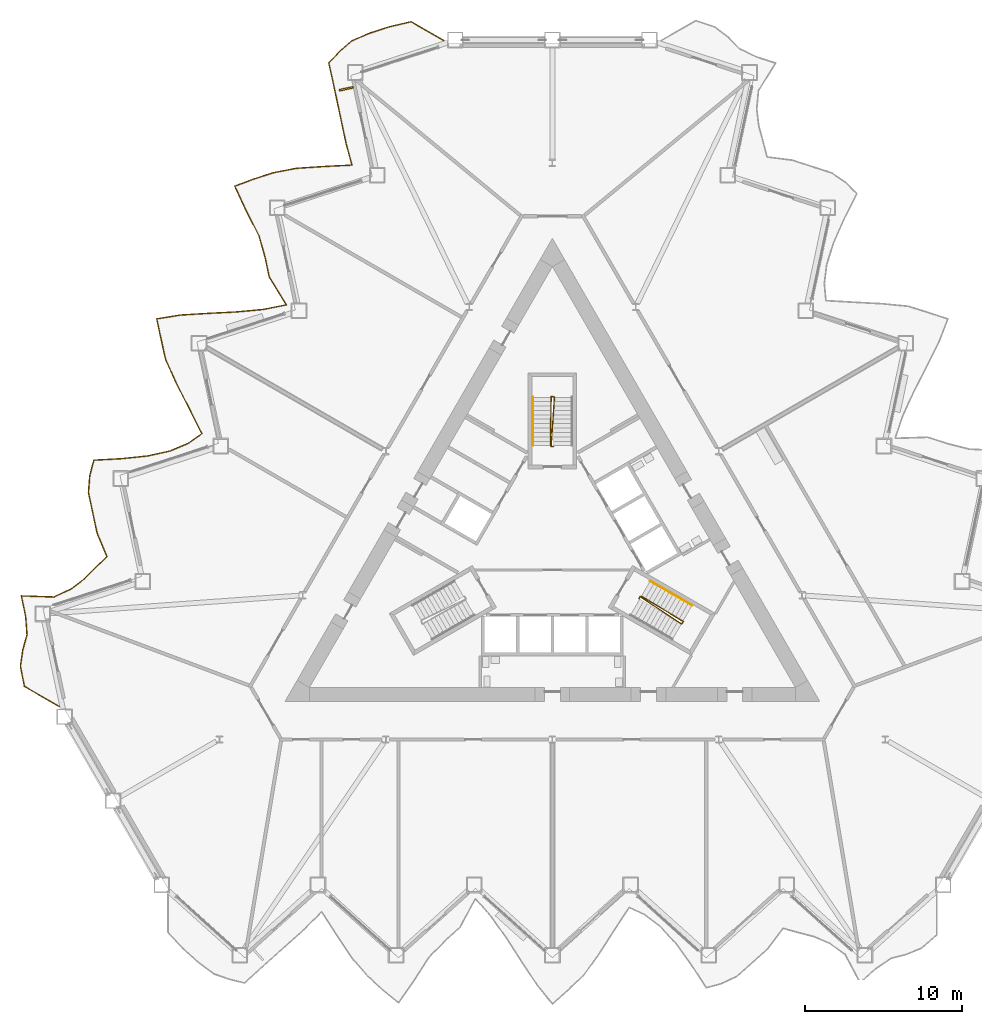
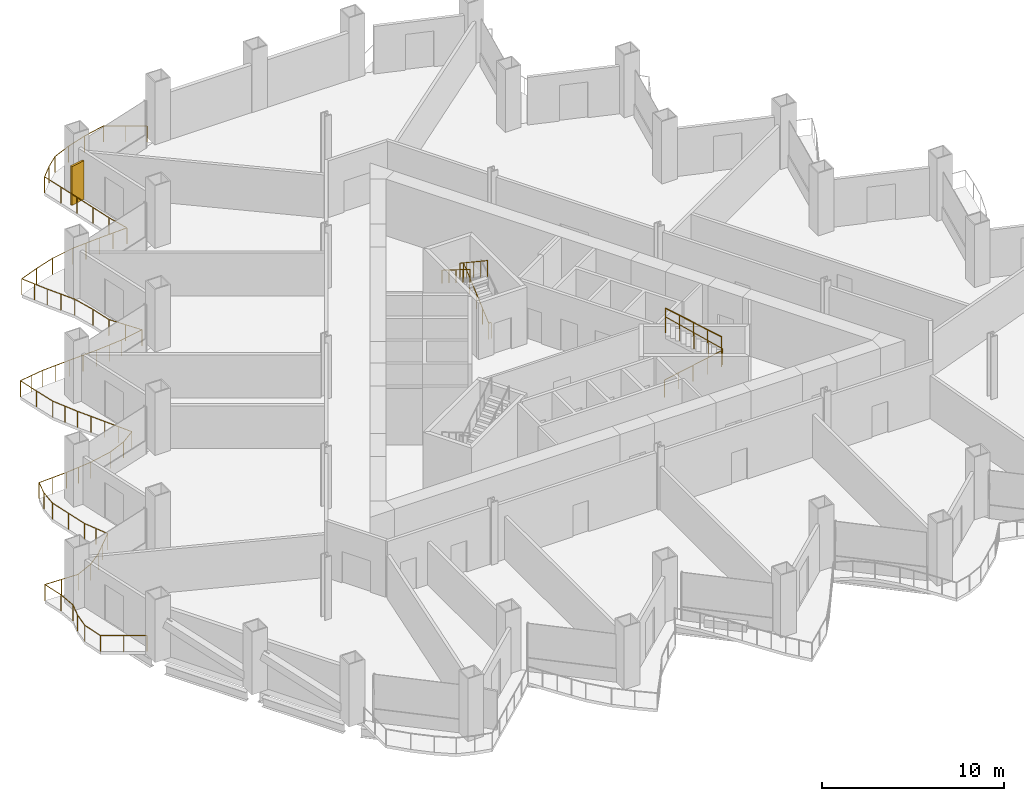
# One storey, part 17 of 20: 5 railings, 1 shading device.
"""IFC4 building model written with IfcOpenShell, lengths in metres."""

from ifc_helpers import new_model, si_unit, direction, frame, origin, origin_2d, place, context, subcontext, project, spatial, rectangle, circle, extrude, material, layer, layer_set, type_object, element, save


model = new_model("IFC4")

# Units and contexts
model_context = context("Model", 3, precision=1e-05, world=origin(), true_north=direction((0.0, 1.0)))
body_context = subcontext(model_context, "Body", "Model", "MODEL_VIEW")
ifc_project = project(units=[si_unit("LENGTHUNIT", "METRE"), si_unit("AREAUNIT", "SQUARE_METRE"), si_unit("VOLUMEUNIT", "CUBIC_METRE"), si_unit("PLANEANGLEUNIT", "RADIAN"), si_unit("MASSUNIT", "GRAM", prefix="KILO")], contexts=[model_context])

# Site, building, storey
site_placement = place(None, origin())
site = spatial("IfcSite", under=ifc_project, at=site_placement, CompositionType="ELEMENT")
building_placement = place(site_placement, origin())
building = spatial("IfcBuilding", under=site, at=building_placement, Name="Cormorant Prow Tower", CompositionType="ELEMENT")
storey_placement = place(building_placement, frame((0.0, 0.0, 55.199951171875)))
storey = spatial("IfcBuildingStorey", under=building, at=storey_placement, Name="L11", CompositionType="ELEMENT", Elevation=55.199951171875)

# Railings
ifc_material_1 = material(Name="Aluminium 6063-T6", Category="aluminium")
railing_type_1 = type_object("IfcRailingType", Name="Balcony guard 1100", PredefinedType="GUARDRAIL", material=ifc_material_1)
railing_1_placement = place(storey_placement, frame((-6.89013671875, 32.197509765625, 0.0)))
element("IfcRailing", 1, at=railing_1_placement, inside=storey, type_object=railing_type_1, Name="Balcony guard WNW", PredefinedType="GUARDRAIL", context=body_context, shape_type="SweptSolid", body=[
    extrude(circle(Radius=0.02392578125, at=origin_2d()), frame((0.0, 0.0, 1.076171875), z_axis=(-0.86600970956, 0.500027182209, 0.0), x_axis=(-0.500027182209, -0.86600970956, 0.0)), (0.0, 0.0, 1.0), 2.404052734375),
    extrude(circle(Radius=0.02392578125, at=origin_2d()), frame((-2.08203125, 1.2021484375, 1.076171875), z_axis=(-0.974143458387, -0.225930348742, 0.0), x_axis=(0.225930348742, -0.974143458387, 0.0)), (0.0, 0.0, 1.0), 1.431884765625),
    extrude(circle(Radius=0.02392578125, at=origin_2d()), frame((-3.476806640625, 0.878662109375, 1.076171875), z_axis=(-0.951050435231, -0.30903570934, 0.0), x_axis=(0.30903570934, -0.951050435231, 0.0)), (0.0, 0.0, 1.0), 1.3154296875),
    extrude(circle(Radius=0.02392578125, at=origin_2d()), frame((-4.727783203125, 0.47216796875, 1.076171875), z_axis=(-0.919423874119, -0.39326802527, 0.0), x_axis=(0.39326802527, -0.919423874119, 0.0)), (0.0, 0.0, 1.0), 1.2216796875),
    extrude(circle(Radius=0.02392578125, at=origin_2d()), frame((-5.85107421875, -0.00830078125, 1.076171875), z_axis=(-0.753994763971, -0.656880427402, 0.0), x_axis=(0.656880427402, -0.753994763971, 0.0)), (0.0, 0.0, 1.0), 1.033203125),
    extrude(circle(Radius=0.02392578125, at=origin_2d()), frame((-6.630126953125, -0.68701171875, 1.076171875), z_axis=(-0.69327825014, -0.72067001317, 0.0), x_axis=(0.72067001317, -0.69327825014, 0.0)), (0.0, 0.0, 1.0), 1.007080078125),
    extrude(circle(Radius=0.02392578125, at=origin_2d()), frame((-7.328369140625, -1.412841796875, 1.076171875), z_axis=(0.218370454667, -0.975865945983, 0.0), x_axis=(0.975865945983, 0.218370454667, 0.0)), (0.0, 0.0, 1.0), 1.328125),
    extrude(circle(Radius=0.02392578125, at=origin_2d()), frame((-7.038330078125, -2.708984375, 1.076171875), z_axis=(0.207880954361, -0.978154133465, 0.0), x_axis=(0.978154133465, 0.207880954361, 0.0)), (0.0, 0.0, 1.0), 1.3154296875),
    extrude(circle(Radius=0.02392578125, at=origin_2d()), frame((-6.764892578125, -3.99560546875, 1.076171875), z_axis=(0.207843219599, -0.978162152236, 0.0), x_axis=(0.978162152236, 0.207843219599, 0.0)), (0.0, 0.0, 1.0), 1.315673828125),
    extrude(circle(Radius=0.02392578125, at=origin_2d()), frame((-6.491455078125, -5.282470703125, 1.076171875), z_axis=(0.20805853112, -0.978116377344, 0.0), x_axis=(0.978116377344, 0.20805853112, 0.0)), (0.0, 0.0, 1.0), 1.3154296875),
    extrude(circle(Radius=0.02392578125, at=origin_2d()), frame((-6.2177734375, -6.569091796875, 1.076171875), z_axis=(0.263726899896, -0.964597388692, 0.0), x_axis=(0.964597388692, 0.263726899896, 0.0)), (0.0, 0.0, 1.0), 1.389404296875),
    extrude(circle(Radius=0.02392578125, at=origin_2d()), frame((-5.851318359375, -7.909423828125, 1.076171875), z_axis=(-0.998806724345, -0.04883776615, 0.0), x_axis=(0.04883776615, -0.998806724345, 0.0)), (0.0, 0.0, 1.0), 1.8046875),
    extrude(circle(Radius=0.02392578125, at=origin_2d()), frame((-7.65380859375, -7.99755859375, 1.076171875), z_axis=(-0.997730027653, -0.067340863671, 0.0), x_axis=(0.067340863671, -0.997730027653, 0.0)), (0.0, 0.0, 1.0), 1.754638671875),
    extrude(circle(Radius=0.02392578125, at=origin_2d()), frame((-9.404541015625, -8.11572265625, 1.076171875), z_axis=(-0.98160088559, -0.190944236385, 0.0), x_axis=(0.190944236385, -0.98160088559, 0.0)), (0.0, 0.0, 1.0), 1.489501953125),
    extrude(circle(Radius=0.02392578125, at=origin_2d()), frame((-10.86669921875, -8.400146484375, 1.076171875), z_axis=(-0.951050435231, -0.30903570934, 0.0), x_axis=(0.30903570934, -0.951050435231, 0.0)), (0.0, 0.0, 1.0), 1.3154296875),
    extrude(circle(Radius=0.02392578125, at=origin_2d()), frame((-12.11767578125, -8.806640625, 1.076171875), z_axis=(-0.935884159176, -0.352307877578, 0.0), x_axis=(0.352307877578, -0.935884159176, 0.0)), (0.0, 0.0, 1.0), 1.2646484375),
    extrude(circle(Radius=0.02392578125, at=origin_2d()), frame((-13.30126953125, -9.252197265625, 1.076171875), z_axis=(0.422336204889, -0.906439258881, 0.0), x_axis=(0.906439258881, 0.422336204889, 0.0)), (0.0, 0.0, 1.0), 1.70361328125),
    extrude(circle(Radius=0.02392578125, at=origin_2d()), frame((-12.581787109375, -10.79638671875, 1.076171875), z_axis=(0.456454133218, -0.88974694395, 0.0), x_axis=(0.88974694395, 0.456454133218, 0.0)), (0.0, 0.0, 1.0), 1.802490234375),
    extrude(circle(Radius=0.02392578125, at=origin_2d()), frame((-11.759033203125, -12.400146484375, 1.076171875), z_axis=(0.271220034755, -0.962517372699, 0.0), x_axis=(0.962517372699, 0.271220034755, 0.0)), (0.0, 0.0, 1.0), 1.400634765625),
    extrude(circle(Radius=0.02392578125, at=origin_2d()), frame((-11.379150390625, -13.748291015625, 1.076171875), z_axis=(0.207880954361, -0.978154133465, 0.0), x_axis=(0.978154133465, 0.207880954361, 0.0)), (0.0, 0.0, 1.0), 1.3154296875),
    extrude(circle(Radius=0.02392578125, at=origin_2d()), frame((-11.105712890625, -15.034912109375, 1.076171875), z_axis=(0.526586384621, -0.850121626317, 0.0), x_axis=(0.850121626317, 0.526586384621, 0.0)), (0.0, 0.0, 1.0), 2.06689453125),
    extrude(circle(Radius=0.02392578125, at=origin_2d()), frame((-10.017333984375, -16.7919921875, 1.076171875), z_axis=(-0.980945932653, -0.194280923438, 0.0), x_axis=(0.194280923438, -0.980945932653, 0.0)), (0.0, 0.0, 1.0), 1.484130859375),
    extrude(circle(Radius=0.02392578125, at=origin_2d()), frame((-11.47314453125, -17.080322265625, 1.076171875), z_axis=(-0.995678573646, -0.092866452401, 0.0), x_axis=(0.092866452401, -0.995678573646, 0.0)), (0.0, 0.0, 1.0), 1.6904296875),
    extrude(circle(Radius=0.02392578125, at=origin_2d()), frame((-13.15625, -17.2373046875, 1.076171875), z_axis=(-0.99871175127, -0.050742860342, 0.0), x_axis=(0.050742860342, -0.99871175127, 0.0)), (0.0, 0.0, 1.0), 1.79931640625),
    extrude(circle(Radius=0.02392578125, at=origin_2d()), frame((-14.953369140625, -17.32861328125, 1.076171875), z_axis=(-0.998160925845, -0.060619849189, 0.0), x_axis=(0.060619849189, -0.998160925845, 0.0)), (0.0, 0.0, 1.0), 1.77197265625),
    extrude(circle(Radius=0.02392578125, at=origin_2d()), frame((-16.72216796875, -17.43603515625, 1.076171875), z_axis=(-0.987699172719, -0.15636605837, 0.0), x_axis=(0.15636605837, -0.987699172719, 0.0)), (0.0, 0.0, 1.0), 1.553466796875),
    extrude(circle(Radius=0.02392578125, at=origin_2d()), frame((-18.256591796875, -17.678955078125, 1.076171875), z_axis=(0.207843219599, -0.978162152236, 0.0), x_axis=(0.978162152236, 0.207843219599, 0.0)), (0.0, 0.0, 1.0), 1.315673828125),
    extrude(circle(Radius=0.02392578125, at=origin_2d()), frame((-17.983154296875, -18.9658203125, 1.076171875), z_axis=(0.216403906622, -0.976303922556, 0.0), x_axis=(0.976303922556, 0.216403906622, 0.0)), (0.0, 0.0, 1.0), 1.32568359375),
    extrude(circle(Radius=0.02392578125, at=origin_2d()), frame((-17.6962890625, -20.260009765625, 1.076171875), z_axis=(0.41179356298, -0.911277159534, 0.0), x_axis=(0.911277159534, 0.41179356298, 0.0)), (0.0, 0.0, 1.0), 1.676025390625),
    extrude(circle(Radius=0.02392578125, at=origin_2d()), frame((-17.006103515625, -21.787353515625, 1.076171875), z_axis=(0.454162052774, -0.890919092747, 0.0), x_axis=(0.890919092747, 0.454162052774, 0.0)), (0.0, 0.0, 1.0), 1.79541015625),
    extrude(circle(Radius=0.02392578125, at=origin_2d()), frame((-16.190673828125, -23.386962890625, 1.076171875), z_axis=(0.449023589782, -0.893519902307, 0.0), x_axis=(0.893519902307, 0.449023589782, 0.0)), (0.0, 0.0, 1.0), 1.779541015625),
    extrude(circle(Radius=0.02392578125, at=origin_2d()), frame((-15.3916015625, -24.97705078125, 1.076171875), z_axis=(-0.816559064368, -0.577261894116, 0.0), x_axis=(0.577261894116, -0.816559064368, 0.0)), (0.0, 0.0, 1.0), 1.076416015625),
    extrude(circle(Radius=0.02392578125, at=origin_2d()), frame((-16.2705078125, -25.598388671875, 1.076171875), z_axis=(-0.921365275246, -0.388697864119, 0.0), x_axis=(0.388697864119, -0.921365275246, 0.0)), (0.0, 0.0, 1.0), 1.22607421875),
    extrude(circle(Radius=0.02392578125, at=origin_2d()), frame((-17.400146484375, -26.074951171875, 1.076171875), z_axis=(-0.976191031869, -0.216912584463, 0.0), x_axis=(0.216912584463, -0.976191031869, 0.0)), (0.0, 0.0, 1.0), 1.4462890625),
    extrude(circle(Radius=0.02392578125, at=origin_2d()), frame((-18.81201171875, -26.388671875, 1.076171875), z_axis=(-0.994448942205, -0.105220251606, 0.0), x_axis=(0.105220251606, -0.994448942205, 0.0)), (0.0, 0.0, 1.0), 1.661376953125),
    extrude(circle(Radius=0.02392578125, at=origin_2d()), frame((-20.464111328125, -26.5634765625, 1.076171875), z_axis=(-0.998541081277, -0.053997305501, 0.0), x_axis=(0.053997305501, -0.998541081277, 0.0)), (0.0, 0.0, 1.0), 1.79052734375),
    extrude(circle(Radius=0.02392578125, at=origin_2d()), frame((-22.251953125, -26.66015625, 1.076171875), z_axis=(-0.25550165433, -0.966808618412, 0.0), x_axis=(0.966808618412, -0.25550165433, 0.0)), (0.0, 0.0, 1.0), 1.012939453125),
    extrude(circle(Radius=0.02392578125, at=origin_2d()), frame((-22.5107421875, -27.639404296875, 1.076171875), z_axis=(-0.080076936744, -0.996788685832, 0.0), x_axis=(0.996788685832, -0.080076936744, 0.0)), (0.0, 0.0, 1.0), 1.082275390625),
    extrude(circle(Radius=0.02392578125, at=origin_2d()), frame((-22.597412109375, -28.71826171875, 1.076171875), z_axis=(0.207843219599, -0.978162152236, 0.0), x_axis=(0.978162152236, 0.207843219599, 0.0)), (0.0, 0.0, 1.0), 1.315673828125),
    extrude(circle(Radius=0.02392578125, at=origin_2d()), frame((-22.323974609375, -30.005126953125, 1.076171875), z_axis=(0.208096308605, -0.978108340801, 0.0), x_axis=(0.978108340801, 0.208096308605, 0.0)), (0.0, 0.0, 1.0), 1.315185546875),
    extrude(circle(Radius=0.02392578125, at=origin_2d()), frame((-22.05029296875, -31.29150390625, 1.076171875), z_axis=(0.386129109444, -0.922444746768, 0.0), x_axis=(0.922444746768, 0.386129109444, 0.0)), (0.0, 0.0, 1.0), 1.6142578125),
    extrude(circle(Radius=0.02392578125, at=origin_2d()), frame((-21.427001953125, -32.780517578125, 1.076171875), z_axis=(-0.710711333139, -0.703483760259, 0.0), x_axis=(0.703483760259, -0.710711333139, 0.0)), (0.0, 0.0, 1.0), 1.013427734375),
    extrude(circle(Radius=0.02392578125, at=origin_2d()), frame((-22.147216796875, -33.493408203125, 1.076171875), z_axis=(-0.705051426943, -0.709156178402, 0.0), x_axis=(0.709156178402, -0.705051426943, 0.0)), (0.0, 0.0, 1.0), 1.01123046875),
    extrude(circle(Radius=0.02392578125, at=origin_2d()), frame((-22.860107421875, -34.21044921875, 1.076171875), z_axis=(-0.797118998613, -0.603822243753, 0.0), x_axis=(0.603822243753, -0.797118998613, 0.0)), (0.0, 0.0, 1.0), 1.06103515625),
    extrude(circle(Radius=0.02392578125, at=origin_2d()), frame((-23.705810546875, -34.85107421875, 1.076171875), z_axis=(-0.907384702576, -0.42030108438, 0.0), x_axis=(0.42030108438, -0.907384702576, 0.0)), (0.0, 0.0, 1.0), 1.1953125),
    extrude(circle(Radius=0.02392578125, at=origin_2d()), frame((-24.79052734375, -35.353515625, 1.076171875), z_axis=(-0.999468051199, 0.032613105216, 0.0), x_axis=(-0.032613105216, -0.999468051199, 0.0)), (0.0, 0.0, 1.0), 2.07373046875),
    extrude(circle(Radius=0.02392578125, at=origin_2d()), frame((-26.863037109375, -35.285888671875, 1.076171875), z_axis=(0.20805853112, -0.978116377344, 0.0), x_axis=(0.978116377344, 0.20805853112, 0.0)), (0.0, 0.0, 1.0), 1.3154296875),
    extrude(circle(Radius=0.02392578125, at=origin_2d()), frame((-26.58935546875, -36.572509765625, 1.076171875), z_axis=(0.074312688106, -0.997234989552, 0.0), x_axis=(0.997234989552, 0.074312688106, 0.0)), (0.0, 0.0, 1.0), 1.1826171875),
    extrude(circle(Radius=0.02392578125, at=origin_2d()), frame((-26.50146484375, -37.751953125, 1.076171875), z_axis=(-0.267145067543, -0.963656325091, 0.0), x_axis=(0.963656325091, -0.267145067543, 0.0)), (0.0, 0.0, 1.0), 1.009765625),
    extrude(circle(Radius=0.02392578125, at=origin_2d()), frame((-26.771240234375, -38.72509765625, 1.076171875), z_axis=(-0.139670047825, -0.990198100251, 0.0), x_axis=(0.990198100251, -0.139670047825, 0.0)), (0.0, 0.0, 1.0), 1.053955078125),
    extrude(circle(Radius=0.02392578125, at=origin_2d()), frame((-26.91845703125, -39.768798828125, 1.076171875), z_axis=(0.195249566412, -0.980753591284, 0.0), x_axis=(0.980753591284, 0.195249566412, 0.0)), (0.0, 0.0, 1.0), 1.300537109375),
    extrude(circle(Radius=0.02392578125, at=origin_2d()), frame((-26.66455078125, -41.044189453125, 1.076171875), z_axis=(0.866030548046, -0.499991089772, 0.0), x_axis=(0.499991089772, 0.866030548046, 0.0)), (0.0, 0.0, 1.0), 2.56982421875),
    extrude(circle(Radius=0.02099609375, at=origin_2d()), origin(), (0.0, 0.0, 1.0), 1.052001953125),
    extrude(circle(Radius=0.02099609375, at=origin_2d()), frame((-1.041015625, 0.60107421875, 0.0)), (0.0, 0.0, 1.0), 1.052001953125),
    extrude(circle(Radius=0.02099609375, at=origin_2d()), frame((-2.08203125, 1.2021484375, 0.0)), (0.0, 0.0, 1.0), 1.052001953125),
    extrude(circle(Radius=0.02099609375, at=origin_2d()), frame((-3.476806640625, 0.878662109375, 0.0)), (0.0, 0.0, 1.0), 1.052001953125),
    extrude(circle(Radius=0.02099609375, at=origin_2d()), frame((-4.727783203125, 0.47216796875, 0.0)), (0.0, 0.0, 1.0), 1.052001953125),
    extrude(circle(Radius=0.02099609375, at=origin_2d()), frame((-5.85107421875, -0.00830078125, 0.0)), (0.0, 0.0, 1.0), 1.052001953125),
    extrude(circle(Radius=0.02099609375, at=origin_2d()), frame((-6.630126953125, -0.68701171875, 0.0)), (0.0, 0.0, 1.0), 1.052001953125),
    extrude(circle(Radius=0.02099609375, at=origin_2d()), frame((-7.328369140625, -1.412841796875, 0.0)), (0.0, 0.0, 1.0), 1.052001953125),
    extrude(circle(Radius=0.02099609375, at=origin_2d()), frame((-7.038330078125, -2.708984375, 0.0)), (0.0, 0.0, 1.0), 1.052001953125),
    extrude(circle(Radius=0.02099609375, at=origin_2d()), frame((-6.764892578125, -3.99560546875, 0.0)), (0.0, 0.0, 1.0), 1.052001953125),
    extrude(circle(Radius=0.02099609375, at=origin_2d()), frame((-6.491455078125, -5.282470703125, 0.0)), (0.0, 0.0, 1.0), 1.052001953125),
    extrude(circle(Radius=0.02099609375, at=origin_2d()), frame((-6.2177734375, -6.569091796875, 0.0)), (0.0, 0.0, 1.0), 1.052001953125),
    extrude(circle(Radius=0.02099609375, at=origin_2d()), frame((-5.851318359375, -7.909423828125, 0.0)), (0.0, 0.0, 1.0), 1.052001953125),
    extrude(circle(Radius=0.02099609375, at=origin_2d()), frame((-6.75244140625, -7.95361328125, 0.0)), (0.0, 0.0, 1.0), 1.052001953125),
    extrude(circle(Radius=0.02099609375, at=origin_2d()), frame((-7.65380859375, -7.99755859375, 0.0)), (0.0, 0.0, 1.0), 1.052001953125),
    extrude(circle(Radius=0.02099609375, at=origin_2d()), frame((-8.529296875, -8.056640625, 0.0)), (0.0, 0.0, 1.0), 1.052001953125),
    extrude(circle(Radius=0.02099609375, at=origin_2d()), frame((-9.404541015625, -8.11572265625, 0.0)), (0.0, 0.0, 1.0), 1.052001953125),
    extrude(circle(Radius=0.02099609375, at=origin_2d()), frame((-10.86669921875, -8.400146484375, 0.0)), (0.0, 0.0, 1.0), 1.052001953125),
    extrude(circle(Radius=0.02099609375, at=origin_2d()), frame((-12.11767578125, -8.806640625, 0.0)), (0.0, 0.0, 1.0), 1.052001953125),
    extrude(circle(Radius=0.02099609375, at=origin_2d()), frame((-13.30126953125, -9.252197265625, 0.0)), (0.0, 0.0, 1.0), 1.052001953125),
    extrude(circle(Radius=0.02099609375, at=origin_2d()), frame((-12.94140625, -10.0244140625, 0.0)), (0.0, 0.0, 1.0), 1.052001953125),
    extrude(circle(Radius=0.02099609375, at=origin_2d()), frame((-12.581787109375, -10.79638671875, 0.0)), (0.0, 0.0, 1.0), 1.052001953125),
    extrude(circle(Radius=0.02099609375, at=origin_2d()), frame((-12.17041015625, -11.59814453125, 0.0)), (0.0, 0.0, 1.0), 1.052001953125),
    extrude(circle(Radius=0.02099609375, at=origin_2d()), frame((-11.759033203125, -12.400146484375, 0.0)), (0.0, 0.0, 1.0), 1.052001953125),
    extrude(circle(Radius=0.02099609375, at=origin_2d()), frame((-11.379150390625, -13.748291015625, 0.0)), (0.0, 0.0, 1.0), 1.052001953125),
    extrude(circle(Radius=0.02099609375, at=origin_2d()), frame((-11.105712890625, -15.034912109375, 0.0)), (0.0, 0.0, 1.0), 1.052001953125),
    extrude(circle(Radius=0.02099609375, at=origin_2d()), frame((-10.5615234375, -15.91357421875, 0.0)), (0.0, 0.0, 1.0), 1.052001953125),
    extrude(circle(Radius=0.02099609375, at=origin_2d()), frame((-10.017333984375, -16.7919921875, 0.0)), (0.0, 0.0, 1.0), 1.052001953125),
    extrude(circle(Radius=0.02099609375, at=origin_2d()), frame((-11.47314453125, -17.080322265625, 0.0)), (0.0, 0.0, 1.0), 1.052001953125),
    extrude(circle(Radius=0.02099609375, at=origin_2d()), frame((-12.314697265625, -17.15869140625, 0.0)), (0.0, 0.0, 1.0), 1.052001953125),
    extrude(circle(Radius=0.02099609375, at=origin_2d()), frame((-13.15625, -17.2373046875, 0.0)), (0.0, 0.0, 1.0), 1.052001953125),
    extrude(circle(Radius=0.02099609375, at=origin_2d()), frame((-14.0546875, -17.282958984375, 0.0)), (0.0, 0.0, 1.0), 1.052001953125),
    extrude(circle(Radius=0.02099609375, at=origin_2d()), frame((-14.953369140625, -17.32861328125, 0.0)), (0.0, 0.0, 1.0), 1.052001953125),
    extrude(circle(Radius=0.02099609375, at=origin_2d()), frame((-15.837890625, -17.38232421875, 0.0)), (0.0, 0.0, 1.0), 1.052001953125),
    extrude(circle(Radius=0.02099609375, at=origin_2d()), frame((-16.72216796875, -17.43603515625, 0.0)), (0.0, 0.0, 1.0), 1.052001953125),
    extrude(circle(Radius=0.02099609375, at=origin_2d()), frame((-17.4892578125, -17.5576171875, 0.0)), (0.0, 0.0, 1.0), 1.052001953125),
    extrude(circle(Radius=0.02099609375, at=origin_2d()), frame((-18.256591796875, -17.678955078125, 0.0)), (0.0, 0.0, 1.0), 1.052001953125),
    extrude(circle(Radius=0.02099609375, at=origin_2d()), frame((-17.983154296875, -18.9658203125, 0.0)), (0.0, 0.0, 1.0), 1.052001953125),
    extrude(circle(Radius=0.02099609375, at=origin_2d()), frame((-17.6962890625, -20.260009765625, 0.0)), (0.0, 0.0, 1.0), 1.052001953125),
    extrude(circle(Radius=0.02099609375, at=origin_2d()), frame((-17.35107421875, -21.023681640625, 0.0)), (0.0, 0.0, 1.0), 1.052001953125),
    extrude(circle(Radius=0.02099609375, at=origin_2d()), frame((-17.006103515625, -21.787353515625, 0.0)), (0.0, 0.0, 1.0), 1.052001953125),
    extrude(circle(Radius=0.02099609375, at=origin_2d()), frame((-16.598388671875, -22.587158203125, 0.0)), (0.0, 0.0, 1.0), 1.052001953125),
    extrude(circle(Radius=0.02099609375, at=origin_2d()), frame((-16.190673828125, -23.386962890625, 0.0)), (0.0, 0.0, 1.0), 1.052001953125),
    extrude(circle(Radius=0.02099609375, at=origin_2d()), frame((-15.791015625, -24.18212890625, 0.0)), (0.0, 0.0, 1.0), 1.052001953125),
    extrude(circle(Radius=0.02099609375, at=origin_2d()), frame((-15.3916015625, -24.97705078125, 0.0)), (0.0, 0.0, 1.0), 1.052001953125),
    extrude(circle(Radius=0.02099609375, at=origin_2d()), frame((-16.2705078125, -25.598388671875, 0.0)), (0.0, 0.0, 1.0), 1.052001953125),
    extrude(circle(Radius=0.02099609375, at=origin_2d()), frame((-17.400146484375, -26.074951171875, 0.0)), (0.0, 0.0, 1.0), 1.052001953125),
    extrude(circle(Radius=0.02099609375, at=origin_2d()), frame((-18.81201171875, -26.388671875, 0.0)), (0.0, 0.0, 1.0), 1.052001953125),
    extrude(circle(Radius=0.02099609375, at=origin_2d()), frame((-19.63818359375, -26.47607421875, 0.0)), (0.0, 0.0, 1.0), 1.052001953125),
    extrude(circle(Radius=0.02099609375, at=origin_2d()), frame((-20.464111328125, -26.5634765625, 0.0)), (0.0, 0.0, 1.0), 1.052001953125),
    extrude(circle(Radius=0.02099609375, at=origin_2d()), frame((-21.35791015625, -26.61181640625, 0.0)), (0.0, 0.0, 1.0), 1.052001953125),
    extrude(circle(Radius=0.02099609375, at=origin_2d()), frame((-22.251953125, -26.66015625, 0.0)), (0.0, 0.0, 1.0), 1.052001953125),
    extrude(circle(Radius=0.02099609375, at=origin_2d()), frame((-22.5107421875, -27.639404296875, 0.0)), (0.0, 0.0, 1.0), 1.052001953125),
    extrude(circle(Radius=0.02099609375, at=origin_2d()), frame((-22.597412109375, -28.71826171875, 0.0)), (0.0, 0.0, 1.0), 1.052001953125),
    extrude(circle(Radius=0.02099609375, at=origin_2d()), frame((-22.323974609375, -30.005126953125, 0.0)), (0.0, 0.0, 1.0), 1.052001953125),
    extrude(circle(Radius=0.02099609375, at=origin_2d()), frame((-22.05029296875, -31.29150390625, 0.0)), (0.0, 0.0, 1.0), 1.052001953125),
    extrude(circle(Radius=0.02099609375, at=origin_2d()), frame((-21.73876953125, -32.0361328125, 0.0)), (0.0, 0.0, 1.0), 1.052001953125),
    extrude(circle(Radius=0.02099609375, at=origin_2d()), frame((-21.427001953125, -32.780517578125, 0.0)), (0.0, 0.0, 1.0), 1.052001953125),
    extrude(circle(Radius=0.02099609375, at=origin_2d()), frame((-22.147216796875, -33.493408203125, 0.0)), (0.0, 0.0, 1.0), 1.052001953125),
    extrude(circle(Radius=0.02099609375, at=origin_2d()), frame((-22.860107421875, -34.21044921875, 0.0)), (0.0, 0.0, 1.0), 1.052001953125),
    extrude(circle(Radius=0.02099609375, at=origin_2d()), frame((-23.705810546875, -34.85107421875, 0.0)), (0.0, 0.0, 1.0), 1.052001953125),
    extrude(circle(Radius=0.02099609375, at=origin_2d()), frame((-24.79052734375, -35.353515625, 0.0)), (0.0, 0.0, 1.0), 1.052001953125),
    extrude(circle(Radius=0.02099609375, at=origin_2d()), frame((-25.82666015625, -35.31982421875, 0.0)), (0.0, 0.0, 1.0), 1.052001953125),
    extrude(circle(Radius=0.02099609375, at=origin_2d()), frame((-26.863037109375, -35.285888671875, 0.0)), (0.0, 0.0, 1.0), 1.052001953125),
    extrude(circle(Radius=0.02099609375, at=origin_2d()), frame((-26.58935546875, -36.572509765625, 0.0)), (0.0, 0.0, 1.0), 1.052001953125),
    extrude(circle(Radius=0.02099609375, at=origin_2d()), frame((-26.50146484375, -37.751953125, 0.0)), (0.0, 0.0, 1.0), 1.052001953125),
    extrude(circle(Radius=0.02099609375, at=origin_2d()), frame((-26.771240234375, -38.72509765625, 0.0)), (0.0, 0.0, 1.0), 1.052001953125),
    extrude(circle(Radius=0.02099609375, at=origin_2d()), frame((-26.91845703125, -39.768798828125, 0.0)), (0.0, 0.0, 1.0), 1.052001953125),
    extrude(circle(Radius=0.02099609375, at=origin_2d()), frame((-26.66455078125, -41.044189453125, 0.0)), (0.0, 0.0, 1.0), 1.052001953125),
    extrude(circle(Radius=0.02099609375, at=origin_2d()), frame((-25.5517578125, -41.6865234375, 0.0)), (0.0, 0.0, 1.0), 1.052001953125),
    extrude(circle(Radius=0.02099609375, at=origin_2d()), frame((-24.43896484375, -42.3291015625, 0.0)), (0.0, 0.0, 1.0), 1.052001953125),
])
ifc_material_2 = material(Name="Stainless steel", Category="steel")
railing_type_2 = type_object("IfcRailingType", Name="Stair guard 1100", PredefinedType="GUARDRAIL", material=ifc_material_2)
railing_2_placement = place(storey_placement, frame((5.510009765625, -3.267822265625, 0.0)))
element("IfcRailing", 2, at=railing_2_placement, inside=storey, type_object=railing_type_2, Name="L11 ST2 stair guard 1", PredefinedType="GUARDRAIL", context=body_context, shape_type="SweptSolid", body=[
    extrude(circle(Radius=0.02392578125, at=origin_2d()), frame((0.0, 0.0, 1.076171875), z_axis=(0.501036270542, 0.865426285481, 0.0), x_axis=(-0.865426285481, 0.501036270542, 0.0)), (0.0, 0.0, 1.0), 0.150146484375),
    extrude(circle(Radius=0.02392578125, at=origin_2d()), frame((0.0751953125, 0.1298828125, 1.076171875), z_axis=(0.691630634645, -0.46052652377, 0.556383308633), x_axis=(0.554233058506, 0.832361530141, 0.0)), (0.0, 0.0, 1.0), 3.774658203125),
    extrude(circle(Radius=0.02392578125, at=origin_2d()), frame((2.685791015625, -1.6083984375, 3.17626953125), z_axis=(0.695164929852, 0.718850276695, 0.0), x_axis=(-0.718850276695, 0.695164929852, 0.0)), (0.0, 0.0, 1.0), 0.2060546875),
    extrude(circle(Radius=0.02392578125, at=origin_2d()), frame((2.8291015625, -1.460205078125, 3.17626953125), z_axis=(-0.712489022558, 0.426677363931, 0.55705100291), x_axis=(-0.513773053629, -0.857926132814, 0.0)), (0.0, 0.0, 1.0), 3.76953125),
    extrude(circle(Radius=0.02099609375, at=origin_2d()), origin(), (0.0, 0.0, 1.0), 1.052001953125),
    extrude(circle(Radius=0.02099609375, at=origin_2d()), frame((0.0751953125, 0.1298828125, 0.0)), (0.0, 0.0, 1.0), 1.052001953125),
    extrude(circle(Radius=0.02099609375, at=origin_2d()), frame((0.727783203125, -0.3046875, 0.52490234375)), (0.0, 0.0, 1.0), 1.052001953125),
    extrude(circle(Radius=0.02099609375, at=origin_2d()), frame((1.38037109375, -0.7392578125, 1.050048828125)), (0.0, 0.0, 1.0), 1.052001953125),
    extrude(circle(Radius=0.02099609375, at=origin_2d()), frame((2.033203125, -1.173828125, 1.5751953125)), (0.0, 0.0, 1.0), 1.052001953125),
    extrude(circle(Radius=0.02099609375, at=origin_2d()), frame((2.685791015625, -1.6083984375, 2.10009765625)), (0.0, 0.0, 1.0), 1.052001953125),
    extrude(circle(Radius=0.02099609375, at=origin_2d()), frame((2.8291015625, -1.460205078125, 2.10009765625)), (0.0, 0.0, 1.0), 1.052001953125),
    extrude(circle(Radius=0.02099609375, at=origin_2d()), frame((2.15771484375, -1.05810546875, 2.625)), (0.0, 0.0, 1.0), 1.052001953125),
    extrude(circle(Radius=0.02099609375, at=origin_2d()), frame((1.486328125, -0.656005859375, 3.14990234375)), (0.0, 0.0, 1.0), 1.052001953125),
    extrude(circle(Radius=0.02099609375, at=origin_2d()), frame((0.814697265625, -0.25390625, 3.675048828125)), (0.0, 0.0, 1.0), 1.052001953125),
    extrude(circle(Radius=0.02099609375, at=origin_2d()), frame((0.143310546875, 0.148193359375, 4.199951171875)), (0.0, 0.0, 1.0), 1.052001953125),
])
railing_3_placement = place(storey_placement, frame((0.074951171875, 6.40576171875, 0.0)))
element("IfcRailing", 3, at=railing_3_placement, inside=storey, type_object=railing_type_2, Name="L11 ST3 stair guard 1", PredefinedType="GUARDRAIL", context=body_context, shape_type="SweptSolid", body=[
    extrude(circle(Radius=0.02392578125, at=origin_2d()), frame((0.0, 0.0, 1.076171875), z_axis=(-1.0, 0.0, 0.0), x_axis=(0.0, -1.0, 0.0)), (0.0, 0.0, 1.0), 0.14990234375),
    extrude(circle(Radius=0.02392578125, at=origin_2d()), frame((-0.14990234375, 0.0, 1.076171875), z_axis=(0.052971918151, 0.829246596605, 0.556366837532), x_axis=(-0.997965923181, 0.063749636618, 0.0)), (0.0, 0.0, 1.0), 3.774658203125),
    extrude(circle(Radius=0.02392578125, at=origin_2d()), frame((0.050048828125, 3.130126953125, 3.17626953125), z_axis=(-0.970072785993, 0.242814311512, 0.0), x_axis=(-0.242814311512, -0.970072785993, 0.0)), (0.0, 0.0, 1.0), 0.2060546875),
    extrude(circle(Radius=0.02392578125, at=origin_2d()), frame((-0.14990234375, 3.18017578125, 3.17626953125), z_axis=(-0.013277099958, -0.830369261271, 0.557055301162), x_axis=(0.999872194171, -0.015987348866, 0.0)), (0.0, 0.0, 1.0), 3.76953125),
    extrude(circle(Radius=0.02099609375, at=origin_2d()), origin(), (0.0, 0.0, 1.0), 1.052001953125),
    extrude(circle(Radius=0.02099609375, at=origin_2d()), frame((-0.14990234375, 0.0, 0.0)), (0.0, 0.0, 1.0), 1.052001953125),
    extrude(circle(Radius=0.02099609375, at=origin_2d()), frame((-0.099853515625, 0.782470703125, 0.52490234375)), (0.0, 0.0, 1.0), 1.052001953125),
    extrude(circle(Radius=0.02099609375, at=origin_2d()), frame((-0.0498046875, 1.56494140625, 1.050048828125)), (0.0, 0.0, 1.0), 1.052001953125),
    extrude(circle(Radius=0.02099609375, at=origin_2d()), frame((0.0, 2.34765625, 1.5751953125)), (0.0, 0.0, 1.0), 1.052001953125),
    extrude(circle(Radius=0.02099609375, at=origin_2d()), frame((0.050048828125, 3.130126953125, 2.10009765625)), (0.0, 0.0, 1.0), 1.052001953125),
    extrude(circle(Radius=0.02099609375, at=origin_2d()), frame((-0.14990234375, 3.18017578125, 2.10009765625)), (0.0, 0.0, 1.0), 1.052001953125),
    extrude(circle(Radius=0.02099609375, at=origin_2d()), frame((-0.162353515625, 2.397705078125, 2.625)), (0.0, 0.0, 1.0), 1.052001953125),
    extrude(circle(Radius=0.02099609375, at=origin_2d()), frame((-0.1748046875, 1.615234375, 3.14990234375)), (0.0, 0.0, 1.0), 1.052001953125),
    extrude(circle(Radius=0.02099609375, at=origin_2d()), frame((-0.1875, 0.83251953125, 3.675048828125)), (0.0, 0.0, 1.0), 1.052001953125),
    extrude(circle(Radius=0.02099609375, at=origin_2d()), frame((-0.199951171875, 0.050048828125, 4.199951171875)), (0.0, 0.0, 1.0), 1.052001953125),
])
ifc_material_3 = material(Name="Stainless steel", Category="steel")
railing_type_3 = type_object("IfcRailingType", Name="Stair handrail 900", PredefinedType="HANDRAIL", material=ifc_material_3)
railing_4_placement = place(storey_placement, frame((8.88037109375, -3.690673828125, 2.275146484375)))
element("IfcRailing", 4, at=railing_4_placement, inside=storey, type_object=railing_type_3, Name="L11 ST2 stair handrail 2", PredefinedType="HANDRAIL", context=body_context, shape_type="SweptSolid", body=[
    extrude(circle(Radius=0.02392578125, at=origin_2d()), frame((0.0, 0.0, 0.8759765625), z_axis=(-0.734421155904, 0.424009578203, 0.529944755001), x_axis=(-0.499992328818, -0.866029832698, 0.0)), (0.0, 0.0, 1.0), 3.632080078125),
    extrude(circle(Radius=0.02099609375, at=origin_2d()), origin(), (0.0, 0.0, 1.0), 0.851806640625),
    extrude(circle(Radius=0.02099609375, at=origin_2d()), frame((-0.6669921875, 0.385009765625, 0.481201171875)), (0.0, 0.0, 1.0), 0.851806640625),
    extrude(circle(Radius=0.02099609375, at=origin_2d()), frame((-1.333740234375, 0.77001953125, 0.96240234375)), (0.0, 0.0, 1.0), 0.851806640625),
    extrude(circle(Radius=0.02099609375, at=origin_2d()), frame((-2.00048828125, 1.155029296875, 1.443603515625)), (0.0, 0.0, 1.0), 0.851806640625),
    extrude(circle(Radius=0.02099609375, at=origin_2d()), frame((-2.66748046875, 1.5400390625, 1.9248046875)), (0.0, 0.0, 1.0), 0.851806640625),
])
railing_5_placement = place(storey_placement, frame((-1.243896484375, 9.535888671875, 2.275146484375)))
element("IfcRailing", 5, at=railing_5_placement, inside=storey, type_object=railing_type_3, Name="L11 ST3 stair handrail 2", PredefinedType="HANDRAIL", context=body_context, shape_type="SweptSolid", body=[
    extrude(circle(Radius=0.02392578125, at=origin_2d()), frame((0.0, 0.0, 0.8759765625), z_axis=(0.0, -0.848028513186, 0.529950602248), x_axis=(1.0, 0.0, 0.0)), (0.0, 0.0, 1.0), 3.632080078125),
    extrude(circle(Radius=0.02099609375, at=origin_2d()), origin(), (0.0, 0.0, 1.0), 0.851806640625),
    extrude(circle(Radius=0.02099609375, at=origin_2d()), frame((0.0, -0.77001953125, 0.481201171875)), (0.0, 0.0, 1.0), 0.851806640625),
    extrude(circle(Radius=0.02099609375, at=origin_2d()), frame((0.0, -1.5400390625, 0.96240234375)), (0.0, 0.0, 1.0), 0.851806640625),
    extrude(circle(Radius=0.02099609375, at=origin_2d()), frame((0.0, -2.31005859375, 1.443603515625)), (0.0, 0.0, 1.0), 0.851806640625),
    extrude(circle(Radius=0.02099609375, at=origin_2d()), frame((0.0, -3.080078125, 1.9248046875)), (0.0, 0.0, 1.0), 0.851806640625),
])

# Shading device
ifc_material_4 = material(Name="Terracotta", Category="masonry")
ifc_layer = layer(ifc_material_4, 0.1201171875)
ifc_layer_set = layer_set([ifc_layer], Name="Terracotta")
shading_device_type = type_object("IfcShadingDeviceType", Name="Terracotta baguette fin 120x900x2600", PredefinedType="USERDEFINED", material=ifc_layer_set)
shading_device_placement = place(storey_placement, frame((-13.097900390625, 29.13525390625, 0.0), z_axis=(0.0, 0.0, 1.0), x_axis=(0.207911805763, -0.978147576301, 0.0)))
element("IfcShadingDevice", 6, at=shading_device_placement, inside=storey, type_object=shading_device_type, Name="Baguette fin WNW01", ObjectType="BAGUETTE", PredefinedType="USERDEFINED", context=body_context, shape_type="SweptSolid", body=[
    extrude(rectangle(XDim=0.1201171875, YDim=0.89990234375, at=origin_2d()), origin(), (0.0, 0.0, 1.0), 2.60009765625),
])

save(model, "model.ifc")
